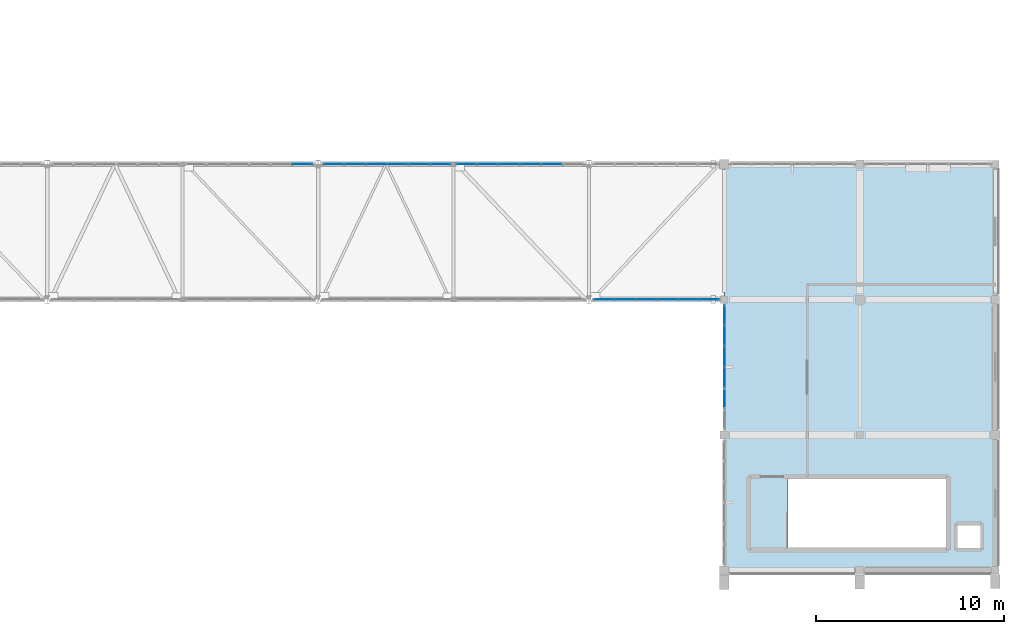
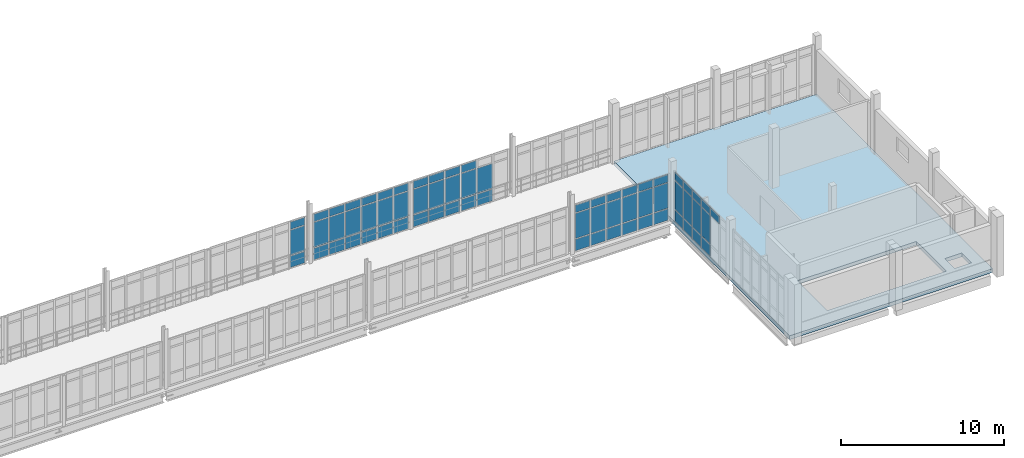
# One storey, part 91 of 116: 66 plates, 1 slab, 5 elements without a shape of their own.
"""IFC4 building model written with IfcOpenShell, lengths in metres."""

import ifcopenshell
import ifcopenshell.guid

model = None  # the IFC model being written
_history = None  # IfcOwnerHistory: only IFC2X3 demands one
_inside = {}  # id of a spatial element -> (the spatial element, [elements in it])
_under = {}  # id of a project, library or spatial element -> (it, [spatial elements below it])
_declared = {}  # id of a project -> (the project, [libraries it declares])
_typed = {}  # id of a type object -> (the type object, [elements of that type])
_made_of = {}  # id of a material, layer set ... -> (it, [elements and type objects made of it])


def new_model(schema):
    """Start an empty IFC model of exactly this schema.

    Asked for "IFC4X3", IfcOpenShell would pick the latest addendum, in which some entities
    have other attributes; the version numbers below select the first issue.
    IFC2X3 requires an IfcOwnerHistory on every rooted entity: one is made here for all.
    """
    global model, _history
    if schema == "IFC4X3":
        model = ifcopenshell.file(schema_version=(4, 3, 0, 0))
    else:
        model = ifcopenshell.file(schema=schema)
    _inside.clear()
    _under.clear()
    _declared.clear()
    _typed.clear()
    _made_of.clear()
    _history = None
    if model.schema == "IFC2X3":
        org = make("IfcOrganization", Name="unknown")
        user = make(
            "IfcPersonAndOrganization",
            ThePerson=make("IfcPerson", FamilyName="unknown"),
            TheOrganization=org,
        )
        app = make(
            "IfcApplication",
            ApplicationDeveloper=org,
            Version="unknown",
            ApplicationFullName="unknown",
            ApplicationIdentifier="unknown",
        )
        _history = make(
            "IfcOwnerHistory",
            OwningUser=user,
            OwningApplication=app,
            ChangeAction="ADDED",
            CreationDate=0,
        )
    return model


def make(cls, **values):
    """One entity of the class cls with the attributes given. An attribute that is None is left unset."""
    return model.create_entity(
        cls, **{name: value for name, value in values.items() if value is not None}
    )


def rooted(cls, **values):
    """An entity with a GlobalId (a new one), such as an element, a storey or a relation."""
    return make(cls, GlobalId=ifcopenshell.guid.new(), OwnerHistory=_history, **values)


def si_unit(unit_type, name, prefix=None):
    """IfcSIUnit, for example si_unit("LENGTHUNIT", "METRE", prefix="MILLI")."""
    return make("IfcSIUnit", UnitType=unit_type, Prefix=prefix, Name=name)


def assignment(units):
    """IfcUnitAssignment: the units of a project."""
    return None if units is None else make("IfcUnitAssignment", Units=units)


def point(xyz):
    """IfcCartesianPoint."""
    return None if xyz is None else make("IfcCartesianPoint", Coordinates=xyz)


def direction(xyz):
    """IfcDirection."""
    return None if xyz is None else make("IfcDirection", DirectionRatios=xyz)


def frame(location, z_axis=None, x_axis=None):
    """IfcAxis2Placement3D, a coordinate frame: its origin and axes. An axis left out is left unset."""
    return make(
        "IfcAxis2Placement3D",
        Location=point(location),
        Axis=direction(z_axis),
        RefDirection=direction(x_axis),
    )


def frame_2d(location, x_axis=None):
    """IfcAxis2Placement2D, a coordinate frame in the plane: its origin and x axis."""
    return make(
        "IfcAxis2Placement2D", Location=point(location), RefDirection=direction(x_axis)
    )


def origin():
    """The frame at (0, 0, 0) with its axes left unset."""
    return frame((0.0, 0.0, 0.0))


def origin_2d():
    """The frame at (0, 0) in the plane with its x axis left unset."""
    return frame_2d((0.0, 0.0))


def place(relative_to, where):
    """IfcLocalPlacement: puts the frame where relative to a parent placement (None: the world)."""
    return make(
        "IfcLocalPlacement", PlacementRelTo=relative_to, RelativePlacement=where
    )


def context(
    kind, dimensions, precision=None, world=None, true_north=None, identifier=None
):
    """IfcGeometricRepresentationContext, for example the 3D "Model" context."""
    return make(
        "IfcGeometricRepresentationContext",
        ContextIdentifier=identifier,
        ContextType=kind,
        CoordinateSpaceDimension=dimensions,
        Precision=precision,
        WorldCoordinateSystem=world,
        TrueNorth=true_north,
    )


def subcontext(parent, identifier, kind, view, scale=None):
    """IfcGeometricRepresentationSubContext, for example "Body" below "Model"."""
    return make(
        "IfcGeometricRepresentationSubContext",
        ContextIdentifier=identifier,
        ContextType=kind,
        ParentContext=parent,
        TargetScale=scale,
        TargetView=view,
    )


def project(units=None, contexts=None):
    """IfcProject with its units and contexts."""
    return rooted(
        "IfcProject",
        Name="project",
        RepresentationContexts=contexts,
        UnitsInContext=assignment(units),
    )


def spatial(cls, under=None, at=None, **own):
    """A site, building, storey or space (cls), placed at a placement, below another one or the project."""
    s = rooted(cls, ObjectPlacement=at, **own)
    if under is not None:
        _under.setdefault(under.id(), (under, []))[1].append(s)
    return s


def polyline(points):
    """IfcPolyline through the points."""
    return make("IfcPolyline", Points=[point(p) for p in points])


def profile(cls, at=None, kind="AREA", **sizes):
    """A parametric profile (cls). Its sizes go by their IFC names, for example OverallWidth=200.0."""
    return make(cls, ProfileType=kind, Position=at, **sizes)


def rectangle(**sizes):
    """IfcRectangleProfileDef."""
    return profile("IfcRectangleProfileDef", **sizes)


def outline(outer, holes=None, kind="AREA"):
    """IfcArbitraryClosedProfileDef: a profile drawn as a closed curve; with holes, ...WithVoids."""
    if holes is None:
        return make("IfcArbitraryClosedProfileDef", ProfileType=kind, OuterCurve=outer)
    return make(
        "IfcArbitraryProfileDefWithVoids",
        ProfileType=kind,
        OuterCurve=outer,
        InnerCurves=holes,
    )


def extrude(swept, where, along, depth):
    """IfcExtrudedAreaSolid: the profile swept, set in the frame where, extruded along a direction by depth."""
    return make(
        "IfcExtrudedAreaSolid",
        SweptArea=swept,
        Position=where,
        ExtrudedDirection=direction(along),
        Depth=depth,
    )


def shape(context_of_items, identifier, shape_type, items):
    """IfcShapeRepresentation: the items that make up one representation, for example the "Body"."""
    return make(
        "IfcShapeRepresentation",
        ContextOfItems=context_of_items,
        RepresentationIdentifier=identifier,
        RepresentationType=shape_type,
        Items=items,
    )


def material(Name=None, Category=None):
    """IfcMaterial."""
    return make("IfcMaterial", Name=Name, Category=Category)


def layer(
    of_material, thickness, ventilated=None, Name=None, Category=None, Priority=None
):
    """IfcMaterialLayer: one layer of a wall or slab, of a material (None: an air gap)."""
    return make(
        "IfcMaterialLayer",
        Material=of_material,
        LayerThickness=thickness,
        IsVentilated=ventilated,
        Name=Name,
        Category=Category,
        Priority=Priority,
    )


def layer_set(layers, Name=None):
    """IfcMaterialLayerSet."""
    return make("IfcMaterialLayerSet", MaterialLayers=layers, LayerSetName=Name)


def made_of(thing, what):
    """Note that an element or type object is made of a material, layer set ...; save() writes the relation."""
    if what is not None:
        _made_of.setdefault(what.id(), (what, []))[1].append(thing)
    return thing


def type_object(cls, material=None, **own):
    """A type object (cls), such as IfcWallType, which elements share."""
    return made_of(rooted(cls, **own), material)


def element(
    cls,
    number,
    at=None,
    inside=None,
    cuts=None,
    type_object=None,
    material=None,
    context=None,
    identifier="Body",
    shape_type=None,
    held_by="IfcProductDefinitionShape",
    body=None,
    shapes=None,
    **own,
):
    """One element of the class cls, such as IfcWall. Its Tag is "e" and its number.

    at: its placement. inside: the storey or other place that contains it. cuts: it is an
    opening in that element (IfcRelVoidsElement). A single representation is given by context,
    identifier, shape_type and body (its items); several are given by shapes. held_by: the class
    of the entity that holds the representations. save() writes the other relations.
    """
    e = rooted(cls, Tag="e%d" % number, ObjectPlacement=at, **own)
    if body is not None:
        shapes = [shape(context, identifier, shape_type, body)]
    if shapes is not None:
        e.Representation = make(held_by, Representations=shapes)
    if inside is not None:
        _inside.setdefault(inside.id(), (inside, []))[1].append(e)
    if cuts is not None:
        rooted(
            "IfcRelVoidsElement", RelatingBuildingElement=cuts, RelatedOpeningElement=e
        )
    if type_object is not None:
        _typed.setdefault(type_object.id(), (type_object, []))[1].append(e)
    return made_of(e, material)


def aggregate(whole, parts):
    """IfcRelAggregates: a whole, such as a stair, and the parts it consists of."""
    return rooted("IfcRelAggregates", RelatingObject=whole, RelatedObjects=parts)


def save(model, path):
    """Write the relations noted so far, then the file.

    IfcRelAggregates (storeys below a building ...), IfcRelContainedInSpatialStructure (elements
    in a storey), IfcRelDefinesByType, IfcRelAssociatesMaterial and IfcRelDeclares: one each for
    every whole, place, type object, material and project.
    """
    for whole, parts in _under.values():
        aggregate(whole, parts)
    for where, things in _inside.values():
        rooted(
            "IfcRelContainedInSpatialStructure",
            RelatedElements=things,
            RelatingStructure=where,
        )
    for kind, things in _typed.values():
        rooted("IfcRelDefinesByType", RelatedObjects=things, RelatingType=kind)
    for what, things in _made_of.values():
        rooted("IfcRelAssociatesMaterial", RelatedObjects=things, RelatingMaterial=what)
    for by, libraries in _declared.values():
        rooted("IfcRelDeclares", RelatingContext=by, RelatedDefinitions=libraries)
    model.write(path)


model = new_model("IFC4")

# Units and contexts
model_context = context("Model", 3, precision=1e-05, world=origin(), true_north=direction((0.0, 1.0)))
body_context = subcontext(model_context, "Body", "Model", "MODEL_VIEW")
ifc_project = project(units=[si_unit("LENGTHUNIT", "METRE"), si_unit("AREAUNIT", "SQUARE_METRE"), si_unit("VOLUMEUNIT", "CUBIC_METRE"), si_unit("PLANEANGLEUNIT", "RADIAN"), si_unit("MASSUNIT", "GRAM", prefix="KILO")], contexts=[model_context])

# Site, building, storey
site_placement = place(None, origin())
site = spatial("IfcSite", under=ifc_project, at=site_placement, CompositionType="ELEMENT")
building_placement = place(site_placement, origin())
building = spatial("IfcBuilding", under=site, at=building_placement, Name="Kalluvel Institute of Natural Sciences", CompositionType="ELEMENT")
storey_placement = place(building_placement, frame((0.0, 0.0, 14.39990234375)))
storey = spatial("IfcBuildingStorey", under=building, at=storey_placement, Name="L03", CompositionType="ELEMENT", Elevation=14.39990234375)

# Curtain wall, plates
ifc_material_1 = material(Name="Aluminium AW-6063 T6", Category="aluminium")
curtain_wall_type_1 = type_object("IfcCurtainWallType", Name="CW-SPAV-45", PredefinedType="USERDEFINED", material=ifc_material_1)
curtain_wall_1_placement = place(storey_placement, origin())
curtain_wall_1 = element("IfcCurtainWall", 1, at=curtain_wall_1_placement, inside=storey, type_object=curtain_wall_type_1, Name="L03 Gothic lancet curtain wall CWA-L03-X1004-Y215", ObjectType="UNITISED LANCET FACADE", PredefinedType="USERDEFINED")
ifc_material_2 = material(Name="Solar-Control Low-E Laminated Glass", Category="glass")
ifc_layer_1 = layer(ifc_material_2, 0.028076171875)
ifc_layer_set_1 = layer_set([ifc_layer_1], Name="Solar-Control Low-E Laminated Glass")
plate_type_1 = type_object("IfcPlateType", Name="CWP-DGU-28", PredefinedType="CURTAIN_PANEL", material=ifc_layer_set_1)
plate_1_placement = place(storey_placement, frame((100.39990234375, 23.143798828125, 3.1826171875), z_axis=(0.0, 0.0, 1.0), x_axis=(0.0, 1.0, 0.0)))
plate_1 = element("IfcPlate", 2, at=plate_1_placement, type_object=plate_type_1, Name="CW-10 panel 2.3", PredefinedType="CURTAIN_PANEL", context=body_context, shape_type="SweptSolid", body=[
    extrude(rectangle(XDim=1.047607421875, YDim=0.028076171875, at=origin_2d()), origin(), (0.0, 0.0, 1.0), 0.552490234375),
])
plate_2_placement = place(storey_placement, frame((100.39990234375, 24.25634765625, 0.065185546875), z_axis=(0.0, 0.0, 1.0), x_axis=(0.0, 1.0, 0.0)))
plate_2 = element("IfcPlate", 3, at=plate_2_placement, type_object=plate_type_1, Name="CW-10 panel 3.1", PredefinedType="CURTAIN_PANEL", context=body_context, shape_type="SweptSolid", body=[
    extrude(rectangle(XDim=1.047607421875, YDim=0.028076171875, at=origin_2d()), origin(), (0.0, 0.0, 1.0), 0.8525390625),
])
plate_3_placement = place(storey_placement, frame((100.39990234375, 24.25634765625, 0.982421875), z_axis=(0.0, 0.0, 1.0), x_axis=(0.0, 1.0, 0.0)))
plate_3 = element("IfcPlate", 4, at=plate_3_placement, type_object=plate_type_1, Name="CW-10 panel 3.2", PredefinedType="CURTAIN_PANEL", context=body_context, shape_type="SweptSolid", body=[
    extrude(rectangle(XDim=1.047607421875, YDim=0.028076171875, at=origin_2d()), origin(), (0.0, 0.0, 1.0), 2.135009765625),
])
plate_4_placement = place(storey_placement, frame((100.39990234375, 24.25634765625, 3.1826171875), z_axis=(0.0, 0.0, 1.0), x_axis=(0.0, 1.0, 0.0)))
plate_4 = element("IfcPlate", 5, at=plate_4_placement, type_object=plate_type_1, Name="CW-10 panel 3.3", PredefinedType="CURTAIN_PANEL", context=body_context, shape_type="SweptSolid", body=[
    extrude(rectangle(XDim=1.047607421875, YDim=0.028076171875, at=origin_2d()), origin(), (0.0, 0.0, 1.0), 0.552490234375),
])
plate_5_placement = place(storey_placement, frame((100.39990234375, 25.36865234375, 0.065185546875), z_axis=(0.0, 0.0, 1.0), x_axis=(0.0, 1.0, 0.0)))
plate_5 = element("IfcPlate", 6, at=plate_5_placement, type_object=plate_type_1, Name="CW-10 panel 4.1", PredefinedType="CURTAIN_PANEL", context=body_context, shape_type="SweptSolid", body=[
    extrude(rectangle(XDim=1.047607421875, YDim=0.028076171875, at=origin_2d()), origin(), (0.0, 0.0, 1.0), 0.8525390625),
])
plate_6_placement = place(storey_placement, frame((100.39990234375, 25.36865234375, 0.982421875), z_axis=(0.0, 0.0, 1.0), x_axis=(0.0, 1.0, 0.0)))
plate_6 = element("IfcPlate", 7, at=plate_6_placement, type_object=plate_type_1, Name="CW-10 panel 4.2", PredefinedType="CURTAIN_PANEL", context=body_context, shape_type="SweptSolid", body=[
    extrude(rectangle(XDim=1.047607421875, YDim=0.028076171875, at=origin_2d()), origin(), (0.0, 0.0, 1.0), 2.135009765625),
])
plate_7_placement = place(storey_placement, frame((100.39990234375, 25.36865234375, 3.1826171875), z_axis=(0.0, 0.0, 1.0), x_axis=(0.0, 1.0, 0.0)))
plate_7 = element("IfcPlate", 8, at=plate_7_placement, type_object=plate_type_1, Name="CW-10 panel 4.3", PredefinedType="CURTAIN_PANEL", context=body_context, shape_type="SweptSolid", body=[
    extrude(rectangle(XDim=1.047607421875, YDim=0.028076171875, at=origin_2d()), origin(), (0.0, 0.0, 1.0), 0.552490234375),
])
plate_8_placement = place(storey_placement, frame((100.39990234375, 26.481201171875, 0.065185546875), z_axis=(0.0, 0.0, 1.0), x_axis=(0.0, 1.0, 0.0)))
plate_8 = element("IfcPlate", 9, at=plate_8_placement, type_object=plate_type_1, Name="CW-10 panel 5.1", PredefinedType="CURTAIN_PANEL", context=body_context, shape_type="SweptSolid", body=[
    extrude(rectangle(XDim=1.047607421875, YDim=0.028076171875, at=origin_2d()), origin(), (0.0, 0.0, 1.0), 0.8525390625),
])
plate_9_placement = place(storey_placement, frame((100.39990234375, 26.481201171875, 0.982421875), z_axis=(0.0, 0.0, 1.0), x_axis=(0.0, 1.0, 0.0)))
plate_9 = element("IfcPlate", 10, at=plate_9_placement, type_object=plate_type_1, Name="CW-10 panel 5.2", PredefinedType="CURTAIN_PANEL", context=body_context, shape_type="SweptSolid", body=[
    extrude(rectangle(XDim=1.047607421875, YDim=0.028076171875, at=origin_2d()), origin(), (0.0, 0.0, 1.0), 2.135009765625),
])
plate_10_placement = place(storey_placement, frame((100.39990234375, 26.481201171875, 3.1826171875), z_axis=(0.0, 0.0, 1.0), x_axis=(0.0, 1.0, 0.0)))
plate_10 = element("IfcPlate", 11, at=plate_10_placement, type_object=plate_type_1, Name="CW-10 panel 5.3", PredefinedType="CURTAIN_PANEL", context=body_context, shape_type="SweptSolid", body=[
    extrude(rectangle(XDim=1.047607421875, YDim=0.028076171875, at=origin_2d()), origin(), (0.0, 0.0, 1.0), 0.552490234375),
])
plate_11_placement = place(storey_placement, frame((100.39990234375, 27.577392578125, 0.065185546875), z_axis=(0.0, 0.0, 1.0), x_axis=(0.0, 1.0, 0.0)))
plate_11 = element("IfcPlate", 12, at=plate_11_placement, type_object=plate_type_1, Name="CW-10 panel 6.1", PredefinedType="CURTAIN_PANEL", context=body_context, shape_type="SweptSolid", body=[
    extrude(rectangle(XDim=1.014892578125, YDim=0.028076171875, at=origin_2d()), origin(), (0.0, 0.0, 1.0), 0.8525390625),
])
plate_12_placement = place(storey_placement, frame((100.39990234375, 27.577392578125, 0.982421875), z_axis=(0.0, 0.0, 1.0), x_axis=(0.0, 1.0, 0.0)))
plate_12 = element("IfcPlate", 13, at=plate_12_placement, type_object=plate_type_1, Name="CW-10 panel 6.2", PredefinedType="CURTAIN_PANEL", context=body_context, shape_type="SweptSolid", body=[
    extrude(rectangle(XDim=1.014892578125, YDim=0.028076171875, at=origin_2d()), origin(), (0.0, 0.0, 1.0), 2.135009765625),
])
plate_13_placement = place(storey_placement, frame((100.39990234375, 27.577392578125, 3.1826171875), z_axis=(0.0, 0.0, 1.0), x_axis=(0.0, 1.0, 0.0)))
plate_13 = element("IfcPlate", 14, at=plate_13_placement, type_object=plate_type_1, Name="CW-10 panel 6.3", PredefinedType="CURTAIN_PANEL", context=body_context, shape_type="SweptSolid", body=[
    extrude(rectangle(XDim=1.014892578125, YDim=0.028076171875, at=origin_2d()), origin(), (0.0, 0.0, 1.0), 0.552490234375),
])
aggregate(curtain_wall_1, [plate_1, plate_2, plate_3, plate_4, plate_5, plate_6, plate_7, plate_8, plate_9, plate_10, plate_11, plate_12, plate_13])

curtain_wall_type_2 = type_object("IfcCurtainWallType", Name="CW-BRG-45", PredefinedType="USERDEFINED", material=ifc_material_1)
curtain_wall_2_placement = place(storey_placement, origin())
curtain_wall_2 = element("IfcCurtainWall", 15, at=curtain_wall_2_placement, inside=storey, type_object=curtain_wall_type_2, Name="L03 Gothic lancet curtain wall CWA-L03-X717-Y356", ObjectType="UNITISED LANCET FACADE", PredefinedType="USERDEFINED")
ifc_layer_2 = layer(ifc_material_2, 0.031982421875)
ifc_layer_set_2 = layer_set([ifc_layer_2], Name="Solar-Control Low-E Laminated Glass")
plate_type_2 = type_object("IfcPlateType", Name="CWP-DGU-32", PredefinedType="CURTAIN_PANEL", material=ifc_layer_set_2)
plate_14_placement = place(storey_placement, frame((77.965087890625, 35.60009765625, 0.06005859375), z_axis=(0.0, 0.0, 1.0), x_axis=(1.0, 0.0, 0.0)))
plate_14 = element("IfcPlate", 16, at=plate_14_placement, type_object=plate_type_2, Name="CW-07 panel 6.1", PredefinedType="CURTAIN_PANEL", context=body_context, shape_type="SweptSolid", body=[
    extrude(rectangle(XDim=1.050048828125, YDim=0.031982421875, at=origin_2d()), origin(), (0.0, 0.0, 1.0), 0.860107421875),
])
plate_15_placement = place(storey_placement, frame((77.965087890625, 35.60009765625, 0.980224609375), z_axis=(0.0, 0.0, 1.0), x_axis=(1.0, 0.0, 0.0)))
plate_15 = element("IfcPlate", 17, at=plate_15_placement, type_object=plate_type_2, Name="CW-07 panel 6.2", PredefinedType="CURTAIN_PANEL", context=body_context, shape_type="SweptSolid", body=[
    extrude(rectangle(XDim=1.050048828125, YDim=0.031982421875, at=origin_2d()), origin(), (0.0, 0.0, 1.0), 1.8798828125),
])
plate_16_placement = place(storey_placement, frame((77.965087890625, 35.60009765625, 2.920166015625), z_axis=(0.0, 0.0, 1.0), x_axis=(1.0, 0.0, 0.0)))
plate_16 = element("IfcPlate", 18, at=plate_16_placement, type_object=plate_type_2, Name="CW-07 panel 6.3", PredefinedType="CURTAIN_PANEL", context=body_context, shape_type="SweptSolid", body=[
    extrude(rectangle(XDim=1.050048828125, YDim=0.031982421875, at=origin_2d()), origin(), (0.0, 0.0, 1.0), 0.56005859375),
])
aggregate(curtain_wall_2, [plate_14, plate_15, plate_16])

curtain_wall_3_placement = place(storey_placement, origin())
curtain_wall_3 = element("IfcCurtainWall", 19, at=curtain_wall_3_placement, inside=storey, type_object=curtain_wall_type_2, Name="L03 Gothic lancet curtain wall CWA-L03-X790-Y356", ObjectType="UNITISED LANCET FACADE", PredefinedType="USERDEFINED")
plate_17_placement = place(storey_placement, frame((79.635009765625, 35.60009765625, 0.06005859375), z_axis=(0.0, 0.0, 1.0), x_axis=(1.0, 0.0, 0.0)))
plate_17 = element("IfcPlate", 20, at=plate_17_placement, type_object=plate_type_2, Name="CW-07 panel 1.1", PredefinedType="CURTAIN_PANEL", context=body_context, shape_type="SweptSolid", body=[
    extrude(rectangle(XDim=1.050048828125, YDim=0.031982421875, at=origin_2d()), origin(), (0.0, 0.0, 1.0), 0.860107421875),
])
plate_18_placement = place(storey_placement, frame((79.635009765625, 35.60009765625, 0.980224609375), z_axis=(0.0, 0.0, 1.0), x_axis=(1.0, 0.0, 0.0)))
plate_18 = element("IfcPlate", 21, at=plate_18_placement, type_object=plate_type_2, Name="CW-07 panel 1.2", PredefinedType="CURTAIN_PANEL", context=body_context, shape_type="SweptSolid", body=[
    extrude(rectangle(XDim=1.050048828125, YDim=0.031982421875, at=origin_2d()), origin(), (0.0, 0.0, 1.0), 1.8798828125),
])
plate_19_placement = place(storey_placement, frame((79.635009765625, 35.60009765625, 2.920166015625), z_axis=(0.0, 0.0, 1.0), x_axis=(1.0, 0.0, 0.0)))
plate_19 = element("IfcPlate", 22, at=plate_19_placement, type_object=plate_type_2, Name="CW-07 panel 1.3", PredefinedType="CURTAIN_PANEL", context=body_context, shape_type="SweptSolid", body=[
    extrude(rectangle(XDim=1.050048828125, YDim=0.031982421875, at=origin_2d()), origin(), (0.0, 0.0, 1.0), 0.56005859375),
])
plate_20_placement = place(storey_placement, frame((80.760009765625, 35.60009765625, 0.06005859375), z_axis=(0.0, 0.0, 1.0), x_axis=(1.0, 0.0, 0.0)))
plate_20 = element("IfcPlate", 23, at=plate_20_placement, type_object=plate_type_2, Name="CW-07 panel 2.1", PredefinedType="CURTAIN_PANEL", context=body_context, shape_type="SweptSolid", body=[
    extrude(rectangle(XDim=1.080078125, YDim=0.031982421875, at=origin_2d()), origin(), (0.0, 0.0, 1.0), 0.860107421875),
])
plate_21_placement = place(storey_placement, frame((80.760009765625, 35.60009765625, 0.980224609375), z_axis=(0.0, 0.0, 1.0), x_axis=(1.0, 0.0, 0.0)))
plate_21 = element("IfcPlate", 24, at=plate_21_placement, type_object=plate_type_2, Name="CW-07 panel 2.2", PredefinedType="CURTAIN_PANEL", context=body_context, shape_type="SweptSolid", body=[
    extrude(rectangle(XDim=1.080078125, YDim=0.031982421875, at=origin_2d()), origin(), (0.0, 0.0, 1.0), 1.8798828125),
])
plate_22_placement = place(storey_placement, frame((80.760009765625, 35.60009765625, 2.920166015625), z_axis=(0.0, 0.0, 1.0), x_axis=(1.0, 0.0, 0.0)))
plate_22 = element("IfcPlate", 25, at=plate_22_placement, type_object=plate_type_2, Name="CW-07 panel 2.3", PredefinedType="CURTAIN_PANEL", context=body_context, shape_type="SweptSolid", body=[
    extrude(rectangle(XDim=1.080078125, YDim=0.031982421875, at=origin_2d()), origin(), (0.0, 0.0, 1.0), 0.56005859375),
])
plate_23_placement = place(storey_placement, frame((81.89990234375, 35.60009765625, 0.06005859375), z_axis=(0.0, 0.0, 1.0), x_axis=(1.0, 0.0, 0.0)))
plate_23 = element("IfcPlate", 26, at=plate_23_placement, type_object=plate_type_2, Name="CW-07 panel 3.1", PredefinedType="CURTAIN_PANEL", context=body_context, shape_type="SweptSolid", body=[
    extrude(rectangle(XDim=1.080078125, YDim=0.031982421875, at=origin_2d()), origin(), (0.0, 0.0, 1.0), 0.860107421875),
])
plate_24_placement = place(storey_placement, frame((81.89990234375, 35.60009765625, 0.980224609375), z_axis=(0.0, 0.0, 1.0), x_axis=(1.0, 0.0, 0.0)))
plate_24 = element("IfcPlate", 27, at=plate_24_placement, type_object=plate_type_2, Name="CW-07 panel 3.2", PredefinedType="CURTAIN_PANEL", context=body_context, shape_type="SweptSolid", body=[
    extrude(rectangle(XDim=1.080078125, YDim=0.031982421875, at=origin_2d()), origin(), (0.0, 0.0, 1.0), 1.8798828125),
])
plate_25_placement = place(storey_placement, frame((81.89990234375, 35.60009765625, 2.920166015625), z_axis=(0.0, 0.0, 1.0), x_axis=(1.0, 0.0, 0.0)))
plate_25 = element("IfcPlate", 28, at=plate_25_placement, type_object=plate_type_2, Name="CW-07 panel 3.3", PredefinedType="CURTAIN_PANEL", context=body_context, shape_type="SweptSolid", body=[
    extrude(rectangle(XDim=1.080078125, YDim=0.031982421875, at=origin_2d()), origin(), (0.0, 0.0, 1.0), 0.56005859375),
])
plate_26_placement = place(storey_placement, frame((83.0400390625, 35.60009765625, 0.06005859375), z_axis=(0.0, 0.0, 1.0), x_axis=(1.0, 0.0, 0.0)))
plate_26 = element("IfcPlate", 29, at=plate_26_placement, type_object=plate_type_2, Name="CW-07 panel 4.1", PredefinedType="CURTAIN_PANEL", context=body_context, shape_type="SweptSolid", body=[
    extrude(rectangle(XDim=1.080078125, YDim=0.031982421875, at=origin_2d()), origin(), (0.0, 0.0, 1.0), 0.860107421875),
])
plate_27_placement = place(storey_placement, frame((83.0400390625, 35.60009765625, 0.980224609375), z_axis=(0.0, 0.0, 1.0), x_axis=(1.0, 0.0, 0.0)))
plate_27 = element("IfcPlate", 30, at=plate_27_placement, type_object=plate_type_2, Name="CW-07 panel 4.2", PredefinedType="CURTAIN_PANEL", context=body_context, shape_type="SweptSolid", body=[
    extrude(rectangle(XDim=1.080078125, YDim=0.031982421875, at=origin_2d()), origin(), (0.0, 0.0, 1.0), 1.8798828125),
])
plate_28_placement = place(storey_placement, frame((83.0400390625, 35.60009765625, 2.920166015625), z_axis=(0.0, 0.0, 1.0), x_axis=(1.0, 0.0, 0.0)))
plate_28 = element("IfcPlate", 31, at=plate_28_placement, type_object=plate_type_2, Name="CW-07 panel 4.3", PredefinedType="CURTAIN_PANEL", context=body_context, shape_type="SweptSolid", body=[
    extrude(rectangle(XDim=1.080078125, YDim=0.031982421875, at=origin_2d()), origin(), (0.0, 0.0, 1.0), 0.56005859375),
])
plate_29_placement = place(storey_placement, frame((84.179931640625, 35.60009765625, 0.06005859375), z_axis=(0.0, 0.0, 1.0), x_axis=(1.0, 0.0, 0.0)))
plate_29 = element("IfcPlate", 32, at=plate_29_placement, type_object=plate_type_2, Name="CW-07 panel 5.1", PredefinedType="CURTAIN_PANEL", context=body_context, shape_type="SweptSolid", body=[
    extrude(rectangle(XDim=1.080078125, YDim=0.031982421875, at=origin_2d()), origin(), (0.0, 0.0, 1.0), 0.860107421875),
])
plate_30_placement = place(storey_placement, frame((84.179931640625, 35.60009765625, 0.980224609375), z_axis=(0.0, 0.0, 1.0), x_axis=(1.0, 0.0, 0.0)))
plate_30 = element("IfcPlate", 33, at=plate_30_placement, type_object=plate_type_2, Name="CW-07 panel 5.2", PredefinedType="CURTAIN_PANEL", context=body_context, shape_type="SweptSolid", body=[
    extrude(rectangle(XDim=1.080078125, YDim=0.031982421875, at=origin_2d()), origin(), (0.0, 0.0, 1.0), 1.8798828125),
])
plate_31_placement = place(storey_placement, frame((84.179931640625, 35.60009765625, 2.920166015625), z_axis=(0.0, 0.0, 1.0), x_axis=(1.0, 0.0, 0.0)))
plate_31 = element("IfcPlate", 34, at=plate_31_placement, type_object=plate_type_2, Name="CW-07 panel 5.3", PredefinedType="CURTAIN_PANEL", context=body_context, shape_type="SweptSolid", body=[
    extrude(rectangle(XDim=1.080078125, YDim=0.031982421875, at=origin_2d()), origin(), (0.0, 0.0, 1.0), 0.56005859375),
])
plate_32_placement = place(storey_placement, frame((85.304931640625, 35.60009765625, 0.06005859375), z_axis=(0.0, 0.0, 1.0), x_axis=(1.0, 0.0, 0.0)))
plate_32 = element("IfcPlate", 35, at=plate_32_placement, type_object=plate_type_2, Name="CW-07 panel 6.1", PredefinedType="CURTAIN_PANEL", context=body_context, shape_type="SweptSolid", body=[
    extrude(rectangle(XDim=1.050048828125, YDim=0.031982421875, at=origin_2d()), origin(), (0.0, 0.0, 1.0), 0.860107421875),
])
plate_33_placement = place(storey_placement, frame((85.304931640625, 35.60009765625, 0.980224609375), z_axis=(0.0, 0.0, 1.0), x_axis=(1.0, 0.0, 0.0)))
plate_33 = element("IfcPlate", 36, at=plate_33_placement, type_object=plate_type_2, Name="CW-07 panel 6.2", PredefinedType="CURTAIN_PANEL", context=body_context, shape_type="SweptSolid", body=[
    extrude(rectangle(XDim=1.050048828125, YDim=0.031982421875, at=origin_2d()), origin(), (0.0, 0.0, 1.0), 1.8798828125),
])
plate_34_placement = place(storey_placement, frame((85.304931640625, 35.60009765625, 2.920166015625), z_axis=(0.0, 0.0, 1.0), x_axis=(1.0, 0.0, 0.0)))
plate_34 = element("IfcPlate", 37, at=plate_34_placement, type_object=plate_type_2, Name="CW-07 panel 6.3", PredefinedType="CURTAIN_PANEL", context=body_context, shape_type="SweptSolid", body=[
    extrude(rectangle(XDim=1.050048828125, YDim=0.031982421875, at=origin_2d()), origin(), (0.0, 0.0, 1.0), 0.56005859375),
])
aggregate(curtain_wall_3, [plate_17, plate_18, plate_19, plate_20, plate_21, plate_22, plate_23, plate_24, plate_25, plate_26, plate_27, plate_28, plate_29, plate_30, plate_31, plate_32, plate_33, plate_34])

curtain_wall_4_placement = place(storey_placement, origin())
curtain_wall_4 = element("IfcCurtainWall", 38, at=curtain_wall_4_placement, inside=storey, type_object=curtain_wall_type_2, Name="L03 Gothic lancet curtain wall CWA-L03-X861-Y356", ObjectType="UNITISED LANCET FACADE", PredefinedType="USERDEFINED")
plate_35_placement = place(storey_placement, frame((86.695068359375, 35.60009765625, 0.06005859375), z_axis=(0.0, 0.0, 1.0), x_axis=(1.0, 0.0, 0.0)))
plate_35 = element("IfcPlate", 39, at=plate_35_placement, type_object=plate_type_2, Name="CW-07 panel 1.1", PredefinedType="CURTAIN_PANEL", context=body_context, shape_type="SweptSolid", body=[
    extrude(rectangle(XDim=1.050048828125, YDim=0.031982421875, at=origin_2d()), origin(), (0.0, 0.0, 1.0), 0.860107421875),
])
plate_36_placement = place(storey_placement, frame((86.695068359375, 35.60009765625, 0.980224609375), z_axis=(0.0, 0.0, 1.0), x_axis=(1.0, 0.0, 0.0)))
plate_36 = element("IfcPlate", 40, at=plate_36_placement, type_object=plate_type_2, Name="CW-07 panel 1.2", PredefinedType="CURTAIN_PANEL", context=body_context, shape_type="SweptSolid", body=[
    extrude(rectangle(XDim=1.050048828125, YDim=0.031982421875, at=origin_2d()), origin(), (0.0, 0.0, 1.0), 1.8798828125),
])
plate_37_placement = place(storey_placement, frame((86.695068359375, 35.60009765625, 2.920166015625), z_axis=(0.0, 0.0, 1.0), x_axis=(1.0, 0.0, 0.0)))
plate_37 = element("IfcPlate", 41, at=plate_37_placement, type_object=plate_type_2, Name="CW-07 panel 1.3", PredefinedType="CURTAIN_PANEL", context=body_context, shape_type="SweptSolid", body=[
    extrude(rectangle(XDim=1.050048828125, YDim=0.031982421875, at=origin_2d()), origin(), (0.0, 0.0, 1.0), 0.56005859375),
])
plate_38_placement = place(storey_placement, frame((87.820068359375, 35.60009765625, 0.06005859375), z_axis=(0.0, 0.0, 1.0), x_axis=(1.0, 0.0, 0.0)))
plate_38 = element("IfcPlate", 42, at=plate_38_placement, type_object=plate_type_2, Name="CW-07 panel 2.1", PredefinedType="CURTAIN_PANEL", context=body_context, shape_type="SweptSolid", body=[
    extrude(rectangle(XDim=1.080078125, YDim=0.031982421875, at=origin_2d()), origin(), (0.0, 0.0, 1.0), 0.860107421875),
])
plate_39_placement = place(storey_placement, frame((87.820068359375, 35.60009765625, 0.980224609375), z_axis=(0.0, 0.0, 1.0), x_axis=(1.0, 0.0, 0.0)))
plate_39 = element("IfcPlate", 43, at=plate_39_placement, type_object=plate_type_2, Name="CW-07 panel 2.2", PredefinedType="CURTAIN_PANEL", context=body_context, shape_type="SweptSolid", body=[
    extrude(rectangle(XDim=1.080078125, YDim=0.031982421875, at=origin_2d()), origin(), (0.0, 0.0, 1.0), 1.8798828125),
])
plate_40_placement = place(storey_placement, frame((87.820068359375, 35.60009765625, 2.920166015625), z_axis=(0.0, 0.0, 1.0), x_axis=(1.0, 0.0, 0.0)))
plate_40 = element("IfcPlate", 44, at=plate_40_placement, type_object=plate_type_2, Name="CW-07 panel 2.3", PredefinedType="CURTAIN_PANEL", context=body_context, shape_type="SweptSolid", body=[
    extrude(rectangle(XDim=1.080078125, YDim=0.031982421875, at=origin_2d()), origin(), (0.0, 0.0, 1.0), 0.56005859375),
])
plate_41_placement = place(storey_placement, frame((88.9599609375, 35.60009765625, 0.06005859375), z_axis=(0.0, 0.0, 1.0), x_axis=(1.0, 0.0, 0.0)))
plate_41 = element("IfcPlate", 45, at=plate_41_placement, type_object=plate_type_2, Name="CW-07 panel 3.1", PredefinedType="CURTAIN_PANEL", context=body_context, shape_type="SweptSolid", body=[
    extrude(rectangle(XDim=1.080078125, YDim=0.031982421875, at=origin_2d()), origin(), (0.0, 0.0, 1.0), 0.860107421875),
])
plate_42_placement = place(storey_placement, frame((88.9599609375, 35.60009765625, 0.980224609375), z_axis=(0.0, 0.0, 1.0), x_axis=(1.0, 0.0, 0.0)))
plate_42 = element("IfcPlate", 46, at=plate_42_placement, type_object=plate_type_2, Name="CW-07 panel 3.2", PredefinedType="CURTAIN_PANEL", context=body_context, shape_type="SweptSolid", body=[
    extrude(rectangle(XDim=1.080078125, YDim=0.031982421875, at=origin_2d()), origin(), (0.0, 0.0, 1.0), 1.8798828125),
])
plate_43_placement = place(storey_placement, frame((88.9599609375, 35.60009765625, 2.920166015625), z_axis=(0.0, 0.0, 1.0), x_axis=(1.0, 0.0, 0.0)))
plate_43 = element("IfcPlate", 47, at=plate_43_placement, type_object=plate_type_2, Name="CW-07 panel 3.3", PredefinedType="CURTAIN_PANEL", context=body_context, shape_type="SweptSolid", body=[
    extrude(rectangle(XDim=1.080078125, YDim=0.031982421875, at=origin_2d()), origin(), (0.0, 0.0, 1.0), 0.56005859375),
])
plate_44_placement = place(storey_placement, frame((90.10009765625, 35.60009765625, 0.06005859375), z_axis=(0.0, 0.0, 1.0), x_axis=(1.0, 0.0, 0.0)))
plate_44 = element("IfcPlate", 48, at=plate_44_placement, type_object=plate_type_2, Name="CW-07 panel 4.1", PredefinedType="CURTAIN_PANEL", context=body_context, shape_type="SweptSolid", body=[
    extrude(rectangle(XDim=1.080078125, YDim=0.031982421875, at=origin_2d()), origin(), (0.0, 0.0, 1.0), 0.860107421875),
])
plate_45_placement = place(storey_placement, frame((90.10009765625, 35.60009765625, 0.980224609375), z_axis=(0.0, 0.0, 1.0), x_axis=(1.0, 0.0, 0.0)))
plate_45 = element("IfcPlate", 49, at=plate_45_placement, type_object=plate_type_2, Name="CW-07 panel 4.2", PredefinedType="CURTAIN_PANEL", context=body_context, shape_type="SweptSolid", body=[
    extrude(rectangle(XDim=1.080078125, YDim=0.031982421875, at=origin_2d()), origin(), (0.0, 0.0, 1.0), 1.8798828125),
])
plate_46_placement = place(storey_placement, frame((90.10009765625, 35.60009765625, 2.920166015625), z_axis=(0.0, 0.0, 1.0), x_axis=(1.0, 0.0, 0.0)))
plate_46 = element("IfcPlate", 50, at=plate_46_placement, type_object=plate_type_2, Name="CW-07 panel 4.3", PredefinedType="CURTAIN_PANEL", context=body_context, shape_type="SweptSolid", body=[
    extrude(rectangle(XDim=1.080078125, YDim=0.031982421875, at=origin_2d()), origin(), (0.0, 0.0, 1.0), 0.56005859375),
])
plate_47_placement = place(storey_placement, frame((91.239990234375, 35.60009765625, 0.06005859375), z_axis=(0.0, 0.0, 1.0), x_axis=(1.0, 0.0, 0.0)))
plate_47 = element("IfcPlate", 51, at=plate_47_placement, type_object=plate_type_2, Name="CW-07 panel 5.1", PredefinedType="CURTAIN_PANEL", context=body_context, shape_type="SweptSolid", body=[
    extrude(rectangle(XDim=1.080078125, YDim=0.031982421875, at=origin_2d()), origin(), (0.0, 0.0, 1.0), 0.860107421875),
])
plate_48_placement = place(storey_placement, frame((91.239990234375, 35.60009765625, 0.980224609375), z_axis=(0.0, 0.0, 1.0), x_axis=(1.0, 0.0, 0.0)))
plate_48 = element("IfcPlate", 52, at=plate_48_placement, type_object=plate_type_2, Name="CW-07 panel 5.2", PredefinedType="CURTAIN_PANEL", context=body_context, shape_type="SweptSolid", body=[
    extrude(rectangle(XDim=1.080078125, YDim=0.031982421875, at=origin_2d()), origin(), (0.0, 0.0, 1.0), 1.8798828125),
])
aggregate(curtain_wall_4, [plate_35, plate_36, plate_37, plate_38, plate_39, plate_40, plate_41, plate_42, plate_43, plate_44, plate_45, plate_46, plate_47, plate_48])

curtain_wall_5_placement = place(storey_placement, origin())
curtain_wall_5 = element("IfcCurtainWall", 53, at=curtain_wall_5_placement, inside=storey, type_object=curtain_wall_type_2, Name="L03 Gothic lancet curtain wall CWA-L03-X934-Y284", ObjectType="UNITISED LANCET FACADE", PredefinedType="USERDEFINED")
plate_49_placement = place(storey_placement, frame((94.0234375, 28.39990234375, 0.06005859375), z_axis=(0.0, 0.0, 1.0), x_axis=(1.0, 0.0, 0.0)))
plate_49 = element("IfcPlate", 54, at=plate_49_placement, type_object=plate_type_2, Name="CW-07 panel 1.1", PredefinedType="CURTAIN_PANEL", context=body_context, shape_type="SweptSolid", body=[
    extrude(rectangle(XDim=1.026611328125, YDim=0.031982421875, at=origin_2d()), origin(), (0.0, 0.0, 1.0), 0.860107421875),
])
plate_50_placement = place(storey_placement, frame((94.0234375, 28.39990234375, 0.980224609375), z_axis=(0.0, 0.0, 1.0), x_axis=(1.0, 0.0, 0.0)))
plate_50 = element("IfcPlate", 55, at=plate_50_placement, type_object=plate_type_2, Name="CW-07 panel 1.2", PredefinedType="CURTAIN_PANEL", context=body_context, shape_type="SweptSolid", body=[
    extrude(rectangle(XDim=1.026611328125, YDim=0.031982421875, at=origin_2d()), origin(), (0.0, 0.0, 1.0), 1.8798828125),
])
plate_51_placement = place(storey_placement, frame((94.0234375, 28.39990234375, 2.920166015625), z_axis=(0.0, 0.0, 1.0), x_axis=(1.0, 0.0, 0.0)))
plate_51 = element("IfcPlate", 56, at=plate_51_placement, type_object=plate_type_2, Name="CW-07 panel 1.3", PredefinedType="CURTAIN_PANEL", context=body_context, shape_type="SweptSolid", body=[
    extrude(rectangle(XDim=1.026611328125, YDim=0.031982421875, at=origin_2d()), origin(), (0.0, 0.0, 1.0), 0.56005859375),
])
plate_52_placement = place(storey_placement, frame((95.125, 28.39990234375, 0.06005859375), z_axis=(0.0, 0.0, 1.0), x_axis=(1.0, 0.0, 0.0)))
plate_52 = element("IfcPlate", 57, at=plate_52_placement, type_object=plate_type_2, Name="CW-07 panel 2.1", PredefinedType="CURTAIN_PANEL", context=body_context, shape_type="SweptSolid", body=[
    extrude(rectangle(XDim=1.056640625, YDim=0.031982421875, at=origin_2d()), origin(), (0.0, 0.0, 1.0), 0.860107421875),
])
plate_53_placement = place(storey_placement, frame((95.125, 28.39990234375, 0.980224609375), z_axis=(0.0, 0.0, 1.0), x_axis=(1.0, 0.0, 0.0)))
plate_53 = element("IfcPlate", 58, at=plate_53_placement, type_object=plate_type_2, Name="CW-07 panel 2.2", PredefinedType="CURTAIN_PANEL", context=body_context, shape_type="SweptSolid", body=[
    extrude(rectangle(XDim=1.056640625, YDim=0.031982421875, at=origin_2d()), origin(), (0.0, 0.0, 1.0), 1.8798828125),
])
plate_54_placement = place(storey_placement, frame((95.125, 28.39990234375, 2.920166015625), z_axis=(0.0, 0.0, 1.0), x_axis=(1.0, 0.0, 0.0)))
plate_54 = element("IfcPlate", 59, at=plate_54_placement, type_object=plate_type_2, Name="CW-07 panel 2.3", PredefinedType="CURTAIN_PANEL", context=body_context, shape_type="SweptSolid", body=[
    extrude(rectangle(XDim=1.056640625, YDim=0.031982421875, at=origin_2d()), origin(), (0.0, 0.0, 1.0), 0.56005859375),
])
plate_55_placement = place(storey_placement, frame((96.24169921875, 28.39990234375, 0.06005859375), z_axis=(0.0, 0.0, 1.0), x_axis=(1.0, 0.0, 0.0)))
plate_55 = element("IfcPlate", 60, at=plate_55_placement, type_object=plate_type_2, Name="CW-07 panel 3.1", PredefinedType="CURTAIN_PANEL", context=body_context, shape_type="SweptSolid", body=[
    extrude(rectangle(XDim=1.056640625, YDim=0.031982421875, at=origin_2d()), origin(), (0.0, 0.0, 1.0), 0.860107421875),
])
plate_56_placement = place(storey_placement, frame((96.24169921875, 28.39990234375, 0.980224609375), z_axis=(0.0, 0.0, 1.0), x_axis=(1.0, 0.0, 0.0)))
plate_56 = element("IfcPlate", 61, at=plate_56_placement, type_object=plate_type_2, Name="CW-07 panel 3.2", PredefinedType="CURTAIN_PANEL", context=body_context, shape_type="SweptSolid", body=[
    extrude(rectangle(XDim=1.056640625, YDim=0.031982421875, at=origin_2d()), origin(), (0.0, 0.0, 1.0), 1.8798828125),
])
plate_57_placement = place(storey_placement, frame((96.24169921875, 28.39990234375, 2.920166015625), z_axis=(0.0, 0.0, 1.0), x_axis=(1.0, 0.0, 0.0)))
plate_57 = element("IfcPlate", 62, at=plate_57_placement, type_object=plate_type_2, Name="CW-07 panel 3.3", PredefinedType="CURTAIN_PANEL", context=body_context, shape_type="SweptSolid", body=[
    extrude(rectangle(XDim=1.056640625, YDim=0.031982421875, at=origin_2d()), origin(), (0.0, 0.0, 1.0), 0.56005859375),
])
plate_58_placement = place(storey_placement, frame((97.3583984375, 28.39990234375, 0.06005859375), z_axis=(0.0, 0.0, 1.0), x_axis=(1.0, 0.0, 0.0)))
plate_58 = element("IfcPlate", 63, at=plate_58_placement, type_object=plate_type_2, Name="CW-07 panel 4.1", PredefinedType="CURTAIN_PANEL", context=body_context, shape_type="SweptSolid", body=[
    extrude(rectangle(XDim=1.056640625, YDim=0.031982421875, at=origin_2d()), origin(), (0.0, 0.0, 1.0), 0.860107421875),
])
plate_59_placement = place(storey_placement, frame((97.3583984375, 28.39990234375, 0.980224609375), z_axis=(0.0, 0.0, 1.0), x_axis=(1.0, 0.0, 0.0)))
plate_59 = element("IfcPlate", 64, at=plate_59_placement, type_object=plate_type_2, Name="CW-07 panel 4.2", PredefinedType="CURTAIN_PANEL", context=body_context, shape_type="SweptSolid", body=[
    extrude(rectangle(XDim=1.056640625, YDim=0.031982421875, at=origin_2d()), origin(), (0.0, 0.0, 1.0), 1.8798828125),
])
plate_60_placement = place(storey_placement, frame((97.3583984375, 28.39990234375, 2.920166015625), z_axis=(0.0, 0.0, 1.0), x_axis=(1.0, 0.0, 0.0)))
plate_60 = element("IfcPlate", 65, at=plate_60_placement, type_object=plate_type_2, Name="CW-07 panel 4.3", PredefinedType="CURTAIN_PANEL", context=body_context, shape_type="SweptSolid", body=[
    extrude(rectangle(XDim=1.056640625, YDim=0.031982421875, at=origin_2d()), origin(), (0.0, 0.0, 1.0), 0.56005859375),
])
plate_61_placement = place(storey_placement, frame((98.47509765625, 28.39990234375, 0.06005859375), z_axis=(0.0, 0.0, 1.0), x_axis=(1.0, 0.0, 0.0)))
plate_61 = element("IfcPlate", 66, at=plate_61_placement, type_object=plate_type_2, Name="CW-07 panel 5.1", PredefinedType="CURTAIN_PANEL", context=body_context, shape_type="SweptSolid", body=[
    extrude(rectangle(XDim=1.056640625, YDim=0.031982421875, at=origin_2d()), origin(), (0.0, 0.0, 1.0), 0.860107421875),
])
plate_62_placement = place(storey_placement, frame((98.47509765625, 28.39990234375, 0.980224609375), z_axis=(0.0, 0.0, 1.0), x_axis=(1.0, 0.0, 0.0)))
plate_62 = element("IfcPlate", 67, at=plate_62_placement, type_object=plate_type_2, Name="CW-07 panel 5.2", PredefinedType="CURTAIN_PANEL", context=body_context, shape_type="SweptSolid", body=[
    extrude(rectangle(XDim=1.056640625, YDim=0.031982421875, at=origin_2d()), origin(), (0.0, 0.0, 1.0), 1.8798828125),
])
plate_63_placement = place(storey_placement, frame((98.47509765625, 28.39990234375, 2.920166015625), z_axis=(0.0, 0.0, 1.0), x_axis=(1.0, 0.0, 0.0)))
plate_63 = element("IfcPlate", 68, at=plate_63_placement, type_object=plate_type_2, Name="CW-07 panel 5.3", PredefinedType="CURTAIN_PANEL", context=body_context, shape_type="SweptSolid", body=[
    extrude(rectangle(XDim=1.056640625, YDim=0.031982421875, at=origin_2d()), origin(), (0.0, 0.0, 1.0), 0.56005859375),
])
plate_64_placement = place(storey_placement, frame((99.57666015625, 28.39990234375, 0.06005859375), z_axis=(0.0, 0.0, 1.0), x_axis=(1.0, 0.0, 0.0)))
plate_64 = element("IfcPlate", 69, at=plate_64_placement, type_object=plate_type_2, Name="CW-07 panel 6.1", PredefinedType="CURTAIN_PANEL", context=body_context, shape_type="SweptSolid", body=[
    extrude(rectangle(XDim=1.026611328125, YDim=0.031982421875, at=origin_2d()), origin(), (0.0, 0.0, 1.0), 0.860107421875),
])
plate_65_placement = place(storey_placement, frame((99.57666015625, 28.39990234375, 0.980224609375), z_axis=(0.0, 0.0, 1.0), x_axis=(1.0, 0.0, 0.0)))
plate_65 = element("IfcPlate", 70, at=plate_65_placement, type_object=plate_type_2, Name="CW-07 panel 6.2", PredefinedType="CURTAIN_PANEL", context=body_context, shape_type="SweptSolid", body=[
    extrude(rectangle(XDim=1.026611328125, YDim=0.031982421875, at=origin_2d()), origin(), (0.0, 0.0, 1.0), 1.8798828125),
])
plate_66_placement = place(storey_placement, frame((99.57666015625, 28.39990234375, 2.920166015625), z_axis=(0.0, 0.0, 1.0), x_axis=(1.0, 0.0, 0.0)))
plate_66 = element("IfcPlate", 71, at=plate_66_placement, type_object=plate_type_2, Name="CW-07 panel 6.3", PredefinedType="CURTAIN_PANEL", context=body_context, shape_type="SweptSolid", body=[
    extrude(rectangle(XDim=1.026611328125, YDim=0.031982421875, at=origin_2d()), origin(), (0.0, 0.0, 1.0), 0.56005859375),
])
aggregate(curtain_wall_5, [plate_49, plate_50, plate_51, plate_52, plate_53, plate_54, plate_55, plate_56, plate_57, plate_58, plate_59, plate_60, plate_61, plate_62, plate_63, plate_64, plate_65, plate_66])

# Slab
ifc_material_3 = material(Name="Concrete M40", Category="concrete")
ifc_layer_3 = layer(ifc_material_3, 0.280029296875)
ifc_layer_set_3 = layer_set([ifc_layer_3], Name="Concrete M40")
slab_type = type_object("IfcSlabType", Name="SLB-ATR-280", PredefinedType="FLOOR", material=ifc_layer_set_3)
slab_placement = place(storey_placement, frame((0.0, 0.0, -0.27978515625)))
element("IfcSlab", 72, at=slab_placement, inside=storey, type_object=slab_type, Name="L03 East Research Commons and Lecture Hub Slab", PredefinedType="FLOOR", context=body_context, shape_type="SweptSolid", body=[
    extrude(outline(polyline([(100.39990234375, 14.0), (114.800048828125, 14.0), (114.800048828125, 35.60009765625), (100.39990234375, 35.60009765625), (100.39990234375, 14.0)]), holes=[polyline([(112.800048828125, 16.39990234375), (114.0, 16.39990234375), (114.0, 15.199951171875), (112.800048828125, 15.199951171875), (112.800048828125, 16.39990234375)]), polyline([(103.76806640625, 18.8701171875), (112.199951171875, 18.8701171875), (112.199951171875, 15.199951171875), (103.76806640625, 15.199951171875), (103.76806640625, 18.8701171875)])]), origin(), (0.0, 0.0, 1.0), 0.27978515625),
])

save(model, "model.ifc")
